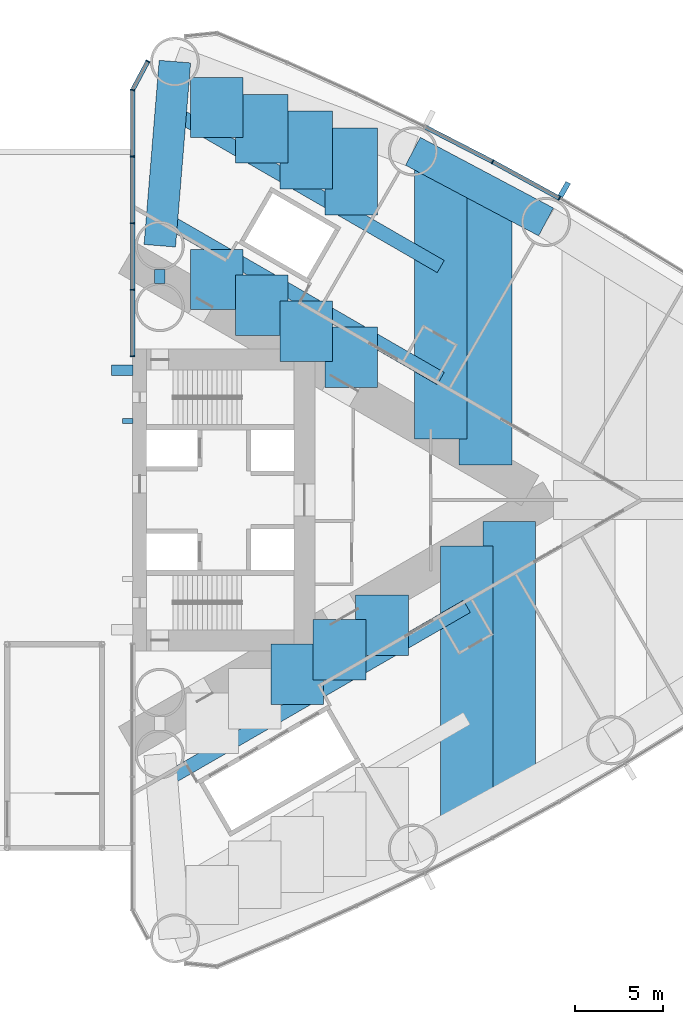
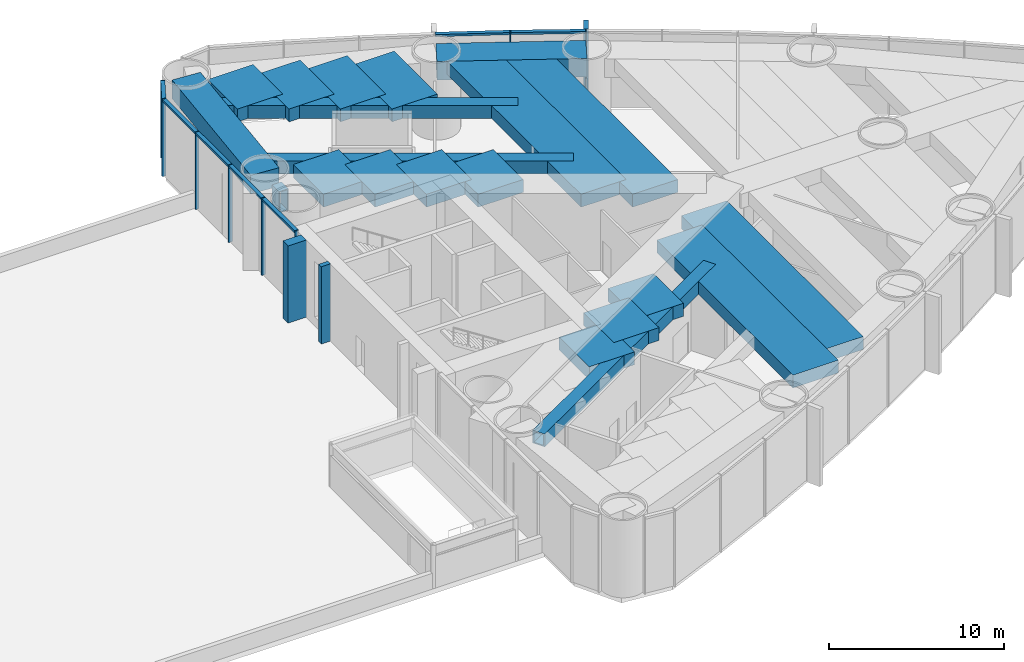
# One storey, part 11 of 23: 21 beams, 18 members, 2 elements without a shape of their own.
"""IFC4 building model written with IfcOpenShell, lengths in metres."""

import ifcopenshell
import ifcopenshell.guid

model = None  # the IFC model being written
_history = None  # IfcOwnerHistory: only IFC2X3 demands one
_inside = {}  # id of a spatial element -> (the spatial element, [elements in it])
_under = {}  # id of a project, library or spatial element -> (it, [spatial elements below it])
_declared = {}  # id of a project -> (the project, [libraries it declares])
_typed = {}  # id of a type object -> (the type object, [elements of that type])
_made_of = {}  # id of a material, layer set ... -> (it, [elements and type objects made of it])


def new_model(schema):
    """Start an empty IFC model of exactly this schema.

    Asked for "IFC4X3", IfcOpenShell would pick the latest addendum, in which some entities
    have other attributes; the version numbers below select the first issue.
    IFC2X3 requires an IfcOwnerHistory on every rooted entity: one is made here for all.
    """
    global model, _history
    if schema == "IFC4X3":
        model = ifcopenshell.file(schema_version=(4, 3, 0, 0))
    else:
        model = ifcopenshell.file(schema=schema)
    _inside.clear()
    _under.clear()
    _declared.clear()
    _typed.clear()
    _made_of.clear()
    _history = None
    if model.schema == "IFC2X3":
        org = make("IfcOrganization", Name="unknown")
        user = make(
            "IfcPersonAndOrganization",
            ThePerson=make("IfcPerson", FamilyName="unknown"),
            TheOrganization=org,
        )
        app = make(
            "IfcApplication",
            ApplicationDeveloper=org,
            Version="unknown",
            ApplicationFullName="unknown",
            ApplicationIdentifier="unknown",
        )
        _history = make(
            "IfcOwnerHistory",
            OwningUser=user,
            OwningApplication=app,
            ChangeAction="ADDED",
            CreationDate=0,
        )
    return model


def make(cls, **values):
    """One entity of the class cls with the attributes given. An attribute that is None is left unset."""
    return model.create_entity(
        cls, **{name: value for name, value in values.items() if value is not None}
    )


def rooted(cls, **values):
    """An entity with a GlobalId (a new one), such as an element, a storey or a relation."""
    return make(cls, GlobalId=ifcopenshell.guid.new(), OwnerHistory=_history, **values)


def si_unit(unit_type, name, prefix=None):
    """IfcSIUnit, for example si_unit("LENGTHUNIT", "METRE", prefix="MILLI")."""
    return make("IfcSIUnit", UnitType=unit_type, Prefix=prefix, Name=name)


def assignment(units):
    """IfcUnitAssignment: the units of a project."""
    return None if units is None else make("IfcUnitAssignment", Units=units)


def point(xyz):
    """IfcCartesianPoint."""
    return None if xyz is None else make("IfcCartesianPoint", Coordinates=xyz)


def direction(xyz):
    """IfcDirection."""
    return None if xyz is None else make("IfcDirection", DirectionRatios=xyz)


def frame(location, z_axis=None, x_axis=None):
    """IfcAxis2Placement3D, a coordinate frame: its origin and axes. An axis left out is left unset."""
    return make(
        "IfcAxis2Placement3D",
        Location=point(location),
        Axis=direction(z_axis),
        RefDirection=direction(x_axis),
    )


def frame_2d(location, x_axis=None):
    """IfcAxis2Placement2D, a coordinate frame in the plane: its origin and x axis."""
    return make(
        "IfcAxis2Placement2D", Location=point(location), RefDirection=direction(x_axis)
    )


def origin():
    """The frame at (0, 0, 0) with its axes left unset."""
    return frame((0.0, 0.0, 0.0))


def origin_2d():
    """The frame at (0, 0) in the plane with its x axis left unset."""
    return frame_2d((0.0, 0.0))


def place(relative_to, where):
    """IfcLocalPlacement: puts the frame where relative to a parent placement (None: the world)."""
    return make(
        "IfcLocalPlacement", PlacementRelTo=relative_to, RelativePlacement=where
    )


def context(
    kind, dimensions, precision=None, world=None, true_north=None, identifier=None
):
    """IfcGeometricRepresentationContext, for example the 3D "Model" context."""
    return make(
        "IfcGeometricRepresentationContext",
        ContextIdentifier=identifier,
        ContextType=kind,
        CoordinateSpaceDimension=dimensions,
        Precision=precision,
        WorldCoordinateSystem=world,
        TrueNorth=true_north,
    )


def subcontext(parent, identifier, kind, view, scale=None):
    """IfcGeometricRepresentationSubContext, for example "Body" below "Model"."""
    return make(
        "IfcGeometricRepresentationSubContext",
        ContextIdentifier=identifier,
        ContextType=kind,
        ParentContext=parent,
        TargetScale=scale,
        TargetView=view,
    )


def project(units=None, contexts=None):
    """IfcProject with its units and contexts."""
    return rooted(
        "IfcProject",
        Name="project",
        RepresentationContexts=contexts,
        UnitsInContext=assignment(units),
    )


def spatial(cls, under=None, at=None, **own):
    """A site, building, storey or space (cls), placed at a placement, below another one or the project."""
    s = rooted(cls, ObjectPlacement=at, **own)
    if under is not None:
        _under.setdefault(under.id(), (under, []))[1].append(s)
    return s


def profile(cls, at=None, kind="AREA", **sizes):
    """A parametric profile (cls). Its sizes go by their IFC names, for example OverallWidth=200.0."""
    return make(cls, ProfileType=kind, Position=at, **sizes)


def rectangle(**sizes):
    """IfcRectangleProfileDef."""
    return profile("IfcRectangleProfileDef", **sizes)


def hollow_rectangle(**sizes):
    """IfcRectangleHollowProfileDef."""
    return profile("IfcRectangleHollowProfileDef", **sizes)


def extrude(swept, where, along, depth):
    """IfcExtrudedAreaSolid: the profile swept, set in the frame where, extruded along a direction by depth."""
    return make(
        "IfcExtrudedAreaSolid",
        SweptArea=swept,
        Position=where,
        ExtrudedDirection=direction(along),
        Depth=depth,
    )


def shape(context_of_items, identifier, shape_type, items):
    """IfcShapeRepresentation: the items that make up one representation, for example the "Body"."""
    return make(
        "IfcShapeRepresentation",
        ContextOfItems=context_of_items,
        RepresentationIdentifier=identifier,
        RepresentationType=shape_type,
        Items=items,
    )


def material(Name=None, Category=None):
    """IfcMaterial."""
    return make("IfcMaterial", Name=Name, Category=Category)


def material_profile(
    of_material, cross_section, Name=None, Category=None, Priority=None
):
    """IfcMaterialProfile: a cross section and its material."""
    return make(
        "IfcMaterialProfile",
        Name=Name,
        Material=of_material,
        Profile=cross_section,
        Priority=Priority,
        Category=Category,
    )


def profile_set(profiles, Name=None, composite=None):
    """IfcMaterialProfileSet."""
    return make(
        "IfcMaterialProfileSet",
        Name=Name,
        MaterialProfiles=profiles,
        CompositeProfile=composite,
    )


def made_of(thing, what):
    """Note that an element or type object is made of a material, layer set ...; save() writes the relation."""
    if what is not None:
        _made_of.setdefault(what.id(), (what, []))[1].append(thing)
    return thing


def type_object(cls, material=None, **own):
    """A type object (cls), such as IfcWallType, which elements share."""
    return made_of(rooted(cls, **own), material)


def element(
    cls,
    number,
    at=None,
    inside=None,
    cuts=None,
    type_object=None,
    material=None,
    context=None,
    identifier="Body",
    shape_type=None,
    held_by="IfcProductDefinitionShape",
    body=None,
    shapes=None,
    **own,
):
    """One element of the class cls, such as IfcWall. Its Tag is "e" and its number.

    at: its placement. inside: the storey or other place that contains it. cuts: it is an
    opening in that element (IfcRelVoidsElement). A single representation is given by context,
    identifier, shape_type and body (its items); several are given by shapes. held_by: the class
    of the entity that holds the representations. save() writes the other relations.
    """
    e = rooted(cls, Tag="e%d" % number, ObjectPlacement=at, **own)
    if body is not None:
        shapes = [shape(context, identifier, shape_type, body)]
    if shapes is not None:
        e.Representation = make(held_by, Representations=shapes)
    if inside is not None:
        _inside.setdefault(inside.id(), (inside, []))[1].append(e)
    if cuts is not None:
        rooted(
            "IfcRelVoidsElement", RelatingBuildingElement=cuts, RelatedOpeningElement=e
        )
    if type_object is not None:
        _typed.setdefault(type_object.id(), (type_object, []))[1].append(e)
    return made_of(e, material)


def aggregate(whole, parts):
    """IfcRelAggregates: a whole, such as a stair, and the parts it consists of."""
    return rooted("IfcRelAggregates", RelatingObject=whole, RelatedObjects=parts)


def save(model, path):
    """Write the relations noted so far, then the file.

    IfcRelAggregates (storeys below a building ...), IfcRelContainedInSpatialStructure (elements
    in a storey), IfcRelDefinesByType, IfcRelAssociatesMaterial and IfcRelDeclares: one each for
    every whole, place, type object, material and project.
    """
    for whole, parts in _under.values():
        aggregate(whole, parts)
    for where, things in _inside.values():
        rooted(
            "IfcRelContainedInSpatialStructure",
            RelatedElements=things,
            RelatingStructure=where,
        )
    for kind, things in _typed.values():
        rooted("IfcRelDefinesByType", RelatedObjects=things, RelatingType=kind)
    for what, things in _made_of.values():
        rooted("IfcRelAssociatesMaterial", RelatedObjects=things, RelatingMaterial=what)
    for by, libraries in _declared.values():
        rooted("IfcRelDeclares", RelatingContext=by, RelatedDefinitions=libraries)
    model.write(path)


model = new_model("IFC4")

# Units and contexts
model_context = context("Model", 3, precision=1e-05, world=origin(), true_north=direction((0.0, 1.0)))
body_context = subcontext(model_context, "Body", "Model", "MODEL_VIEW")
ifc_project = project(units=[si_unit("LENGTHUNIT", "METRE"), si_unit("AREAUNIT", "SQUARE_METRE"), si_unit("VOLUMEUNIT", "CUBIC_METRE"), si_unit("PLANEANGLEUNIT", "RADIAN"), si_unit("MASSUNIT", "GRAM", prefix="KILO")], contexts=[model_context])

# Site, building, storey
site_placement = place(None, origin())
site = spatial("IfcSite", under=ifc_project, at=site_placement, CompositionType="ELEMENT")
building_placement = place(site_placement, origin())
building = spatial("IfcBuilding", under=site, at=building_placement, Name="Lancet Gate Hotel", CompositionType="ELEMENT")
storey_placement = place(building_placement, frame((0.0, 0.0, 12.60009765625)))
storey = spatial("IfcBuildingStorey", under=building, at=storey_placement, Name="L02", CompositionType="ELEMENT", Elevation=12.60009765625)

# Curtain wall, members
ifc_material_1 = material(Name="Aluminium curtain wall", Category="aluminium")
curtain_wall_type = type_object("IfcCurtainWallType", Name="Podium curtain wall", PredefinedType="USERDEFINED", material=ifc_material_1)
curtain_wall_1_placement = place(storey_placement, origin())
curtain_wall_1 = element("IfcCurtainWall", 1, at=curtain_wall_1_placement, inside=storey, type_object=curtain_wall_type, Name="T2 L02 curtain wall 3", ObjectType="UNITISED CURTAIN WALL", PredefinedType="USERDEFINED")
ifc_material_2 = material(Name="Aluminium mullion", Category="aluminium")
ifc_material_profile_1 = material_profile(ifc_material_2, rectangle(XDim=0.06494140625, YDim=0.25, at=origin_2d()), Name="MULLION 65x250")
ifc_profile_set_1 = profile_set([ifc_material_profile_1], Name="Aluminium mullion")
member_type_1 = type_object("IfcMemberType", Name="Aluminium mullion 65x250", PredefinedType="MULLION", material=ifc_profile_set_1)
member_1_placement = place(storey_placement, frame((51.838623046875, 17.208740234375, 0.0), z_axis=(0.0, 0.0, 1.0), x_axis=(-0.871190450382, 0.490945209941, 0.0)))
member_1 = element("IfcMember", 2, at=member_1_placement, type_object=member_type_1, Name="T2 L02 curtain wall 3 mullion 8", PredefinedType="MULLION", context=body_context, shape_type="SweptSolid", body=[
    extrude(rectangle(XDim=0.06494140625, YDim=0.25, at=origin_2d()), origin(), (0.0, 0.0, 1.0), 5.39990234375),
])
member_2_placement = place(storey_placement, frame((48.03271484375, 19.2900390625, 0.0), z_axis=(0.0, 0.0, 1.0), x_axis=(-0.88340346743, 0.468613181347, 0.0)))
member_2 = element("IfcMember", 3, at=member_2_placement, type_object=member_type_1, Name="T2 L02 curtain wall 3 mullion 9", PredefinedType="MULLION", context=body_context, shape_type="SweptSolid", body=[
    extrude(rectangle(XDim=0.06494140625, YDim=0.25, at=origin_2d()), origin(), (0.0, 0.0, 1.0), 5.39990234375),
])

curtain_wall_2_placement = place(storey_placement, origin())
curtain_wall_2 = element("IfcCurtainWall", 4, at=curtain_wall_2_placement, inside=storey, type_object=curtain_wall_type, Name="T2 L02 curtain wall 4", ObjectType="UNITISED CURTAIN WALL", PredefinedType="USERDEFINED")
member_3_placement = place(storey_placement, frame((28.366455078125, 25.012451171875, 0.0), z_axis=(0.0, 0.0, 1.0), x_axis=(-0.469897827284, -0.882720811987, 0.0)))
member_3 = element("IfcMember", 5, at=member_3_placement, type_object=member_type_1, Name="T2 L02 curtain wall 4 mullion 1", PredefinedType="MULLION", context=body_context, shape_type="SweptSolid", body=[
    extrude(rectangle(XDim=0.06494140625, YDim=0.25, at=origin_2d()), origin(), (0.0, 0.0, 1.0), 5.39990234375),
])
member_4_placement = place(storey_placement, frame((27.5, 23.384765625, 0.0), z_axis=(0.0, 0.0, 1.0), x_axis=(-0.157751691459, -0.987478811844, 0.0)))
member_4 = element("IfcMember", 6, at=member_4_placement, type_object=member_type_1, Name="T2 L02 curtain wall 4 mullion 2", PredefinedType="MULLION", context=body_context, shape_type="SweptSolid", body=[
    extrude(rectangle(XDim=0.06494140625, YDim=0.25, at=origin_2d()), origin(), (0.0, 0.0, 1.0), 5.39990234375),
])
member_5_placement = place(storey_placement, frame((27.5, 19.588623046875, 0.0), z_axis=(0.0, 0.0, 1.0), x_axis=(0.0, -1.0, 0.0)))
member_5 = element("IfcMember", 7, at=member_5_placement, type_object=member_type_1, Name="T2 L02 curtain wall 4 mullion 3", PredefinedType="MULLION", context=body_context, shape_type="SweptSolid", body=[
    extrude(rectangle(XDim=0.06494140625, YDim=0.25, at=origin_2d()), origin(), (0.0, 0.0, 1.0), 5.39990234375),
])
member_6_placement = place(storey_placement, frame((27.5, 15.79248046875, 0.0), z_axis=(0.0, 0.0, 1.0), x_axis=(0.0, -1.0, 0.0)))
member_6 = element("IfcMember", 8, at=member_6_placement, type_object=member_type_1, Name="T2 L02 curtain wall 4 mullion 4", PredefinedType="MULLION", context=body_context, shape_type="SweptSolid", body=[
    extrude(rectangle(XDim=0.06494140625, YDim=0.25, at=origin_2d()), origin(), (0.0, 0.0, 1.0), 5.39990234375),
])
member_7_placement = place(storey_placement, frame((27.5, 11.99609375, 0.0), z_axis=(0.0, 0.0, 1.0), x_axis=(0.0, -1.0, 0.0)))
member_7 = element("IfcMember", 9, at=member_7_placement, type_object=member_type_1, Name="T2 L02 curtain wall 4 mullion 5", PredefinedType="MULLION", context=body_context, shape_type="SweptSolid", body=[
    extrude(rectangle(XDim=0.06494140625, YDim=0.25, at=origin_2d()), origin(), (0.0, 0.0, 1.0), 5.39990234375),
])
member_8_placement = place(storey_placement, frame((27.5, 8.199951171875, 0.0), z_axis=(0.0, 0.0, 1.0), x_axis=(0.0, -1.0, 0.0)))
member_8 = element("IfcMember", 10, at=member_8_placement, type_object=member_type_1, Name="T2 L02 curtain wall 4 mullion 6", PredefinedType="MULLION", context=body_context, shape_type="SweptSolid", body=[
    extrude(rectangle(XDim=0.06494140625, YDim=0.25, at=origin_2d()), origin(), (0.0, 0.0, 1.0), 5.39990234375),
])

# Member
ifc_material_3 = material(Name="Aluminium transom", Category="aluminium")
ifc_material_profile_2 = material_profile(ifc_material_3, rectangle(XDim=0.25, YDim=0.14990234375, at=origin_2d()), Name="TRANSOM 250x150")
ifc_profile_set_2 = profile_set([ifc_material_profile_2], Name="Aluminium transom")
member_type_2 = type_object("IfcMemberType", Name="Aluminium transom 250x150", PredefinedType="USERDEFINED", material=ifc_profile_set_2)
member_9_placement = place(storey_placement, frame((51.81005859375, 17.224365234375, 5.324951171875), z_axis=(-0.877377528879, 0.479800658417, 0.0), x_axis=(-0.479800658417, -0.877377528879, 0.0)))
member_9 = element("IfcMember", 11, at=member_9_placement, type_object=member_type_2, Name="T2 L02 curtain wall 3 transom 8", ObjectType="TRANSOM", PredefinedType="USERDEFINED", context=body_context, shape_type="SweptSolid", body=[
    extrude(rectangle(XDim=0.25, YDim=0.14990234375, at=origin_2d()), origin(), (0.0, 0.0, 1.0), 4.272705078125),
])

member_10_placement = place(storey_placement, frame((48.00390625, 19.304931640625, 5.324951171875), z_axis=(-0.88929576978, 0.457332520002, 0.0), x_axis=(-0.457332520002, -0.88929576978, 0.0)))
member_10 = element("IfcMember", 12, at=member_10_placement, type_object=member_type_2, Name="T2 L02 curtain wall 3 transom 9", ObjectType="TRANSOM", PredefinedType="USERDEFINED", context=body_context, shape_type="SweptSolid", body=[
    extrude(rectangle(XDim=0.25, YDim=0.14990234375, at=origin_2d()), origin(), (0.0, 0.0, 1.0), 4.272705078125),
])

member_11_placement = place(storey_placement, frame((28.351318359375, 24.98388671875, 5.324951171875), z_axis=(-0.469904276347, -0.882717378933, 0.0), x_axis=(0.882717378933, -0.469904276347, 0.0)))
member_11 = element("IfcMember", 13, at=member_11_placement, type_object=member_type_2, Name="T2 L02 curtain wall 4 transom 1", ObjectType="TRANSOM", PredefinedType="USERDEFINED", context=body_context, shape_type="SweptSolid", body=[
    extrude(rectangle(XDim=0.25, YDim=0.14990234375, at=origin_2d()), origin(), (0.0, 0.0, 1.0), 1.779052734375),
])

member_12_placement = place(storey_placement, frame((27.5, 23.352294921875, 5.324951171875), z_axis=(0.0, -1.0, 0.0), x_axis=(1.0, 0.0, 0.0)))
member_12 = element("IfcMember", 14, at=member_12_placement, type_object=member_type_2, Name="T2 L02 curtain wall 4 transom 2", ObjectType="TRANSOM", PredefinedType="USERDEFINED", context=body_context, shape_type="SweptSolid", body=[
    extrude(rectangle(XDim=0.25, YDim=0.14990234375, at=origin_2d()), origin(), (0.0, 0.0, 1.0), 3.731201171875),
])

member_13_placement = place(storey_placement, frame((27.5, 19.55615234375, 5.324951171875), z_axis=(0.0, -1.0, 0.0), x_axis=(1.0, 0.0, 0.0)))
member_13 = element("IfcMember", 15, at=member_13_placement, type_object=member_type_2, Name="T2 L02 curtain wall 4 transom 3", ObjectType="TRANSOM", PredefinedType="USERDEFINED", context=body_context, shape_type="SweptSolid", body=[
    extrude(rectangle(XDim=0.25, YDim=0.14990234375, at=origin_2d()), origin(), (0.0, 0.0, 1.0), 3.731201171875),
])

member_14_placement = place(storey_placement, frame((27.5, 15.760009765625, 5.324951171875), z_axis=(0.0, -1.0, 0.0), x_axis=(1.0, 0.0, 0.0)))
member_14 = element("IfcMember", 16, at=member_14_placement, type_object=member_type_2, Name="T2 L02 curtain wall 4 transom 4", ObjectType="TRANSOM", PredefinedType="USERDEFINED", context=body_context, shape_type="SweptSolid", body=[
    extrude(rectangle(XDim=0.25, YDim=0.14990234375, at=origin_2d()), origin(), (0.0, 0.0, 1.0), 3.731201171875),
])

member_15_placement = place(storey_placement, frame((27.5, 11.963623046875, 5.324951171875), z_axis=(0.0, -1.0, 0.0), x_axis=(1.0, 0.0, 0.0)))
member_15 = element("IfcMember", 17, at=member_15_placement, type_object=member_type_2, Name="T2 L02 curtain wall 4 transom 5", ObjectType="TRANSOM", PredefinedType="USERDEFINED", context=body_context, shape_type="SweptSolid", body=[
    extrude(rectangle(XDim=0.25, YDim=0.14990234375, at=origin_2d()), origin(), (0.0, 0.0, 1.0), 3.731201171875),
])

aggregate(curtain_wall_2, [member_3, member_4, member_5, member_6, member_7, member_8, member_11, member_12, member_13, member_14, member_15])

# Beams
ifc_material_4 = material(Name="Concrete C50/60", Category="concrete")
ifc_material_profile_3 = material_profile(ifc_material_4, rectangle(XDim=1.800048828125, YDim=1.300048828125, at=origin_2d()), Name="RC 1800x1300")
ifc_profile_set_3 = profile_set([ifc_material_profile_3], Name="Concrete C50/60")
beam_type_1 = type_object("IfcBeamType", Name="Edge beam RC 1800x1300", PredefinedType="SPANDREL", material=ifc_profile_set_3)
beam_1_placement = place(storey_placement, frame((51.07763671875, 15.8583984375, 4.5), z_axis=(-0.883403493655, 0.46861313191, 0.0), x_axis=(-0.46861313191, -0.883403493655, 0.0)))
element("IfcBeam", 18, at=beam_1_placement, inside=storey, type_object=beam_type_1, Name="T2 edge beam EB1 L02", PredefinedType="SPANDREL", context=body_context, shape_type="SweptSolid", body=[
    extrude(rectangle(XDim=1.800048828125, YDim=1.300048828125, at=origin_2d()), origin(), (0.0, 0.0, 1.0), 8.595703125),
])
beam_2_placement = place(storey_placement, frame((29.050048828125, 14.5, 4.5), z_axis=(0.081714744052, 0.996655758326, 0.0), x_axis=(-0.996655758326, 0.081714744052, 0.0)))
element("IfcBeam", 19, at=beam_2_placement, inside=storey, type_object=beam_type_1, Name="T2 edge beam EB1 L02", PredefinedType="SPANDREL", context=body_context, shape_type="SweptSolid", body=[
    extrude(rectangle(XDim=1.800048828125, YDim=1.300048828125, at=origin_2d()), origin(), (0.0, 0.0, 1.0), 10.53759765625),
])

# Member
ifc_material_5 = material(Name="Concrete C60/75", Category="concrete")
ifc_material_profile_4 = material_profile(ifc_material_5, rectangle(XDim=0.60009765625, YDim=1.199951171875, at=origin_2d()), Name="FIN 600x1200")
ifc_profile_set_4 = profile_set([ifc_material_profile_4], Name="Concrete C60/75")
member_type_3 = type_object("IfcMemberType", Name="Exposed concrete buttress pilaster 600x1200", PredefinedType="USERDEFINED", material=ifc_profile_set_4)
member_16_placement = place(storey_placement, frame((26.909912109375, 7.39990234375, 0.0), z_axis=(0.0, 0.0, 1.0), x_axis=(0.0, 1.0, 0.0)))
element("IfcMember", 20, at=member_16_placement, inside=storey, type_object=member_type_3, Name="T2 buttress pilaster N L02", ObjectType="FIN", PredefinedType="USERDEFINED", context=body_context, shape_type="SweptSolid", body=[
    extrude(rectangle(XDim=0.60009765625, YDim=1.199951171875, at=origin_2d()), origin(), (0.0, 0.0, 1.0), 5.39990234375),
])

ifc_material_6 = material(Name="Precast concrete C50/60", Category="concrete")
ifc_material_profile_5 = material_profile(ifc_material_6, rectangle(XDim=0.300048828125, YDim=0.89990234375, at=origin_2d()), Name="FIN 300x900")
ifc_profile_set_5 = profile_set([ifc_material_profile_5], Name="Precast concrete C50/60")
member_type_4 = type_object("IfcMemberType", Name="Exposed concrete fin 300x900", PredefinedType="USERDEFINED", material=ifc_profile_set_5)
member_17_placement = place(storey_placement, frame((52.120849609375, 17.709716796875, 0.0), z_axis=(0.0, 0.0, 1.0), x_axis=(-0.871190450382, 0.490945209941, 0.0)))
member_17 = element("IfcMember", 21, at=member_17_placement, type_object=member_type_4, Name="T2 L02 curtain wall 3 fin 8", ObjectType="FIN", PredefinedType="USERDEFINED", context=body_context, shape_type="SweptSolid", body=[
    extrude(rectangle(XDim=0.300048828125, YDim=0.89990234375, at=origin_2d()), origin(), (0.0, 0.0, 1.0), 5.39990234375),
])

aggregate(curtain_wall_1, [member_1, member_17, member_2, member_9, member_10])

ifc_material_7 = material(Name="Concrete C60/75", Category="concrete")
ifc_material_profile_6 = material_profile(ifc_material_7, rectangle(XDim=0.300048828125, YDim=0.60009765625, at=origin_2d()), Name="FIN 300x600")
ifc_profile_set_6 = profile_set([ifc_material_profile_6], Name="Concrete C60/75")
member_type_5 = type_object("IfcMemberType", Name="Exposed concrete rib 300x600", PredefinedType="USERDEFINED", material=ifc_profile_set_6)
member_18_placement = place(storey_placement, frame((27.2099609375, 4.5, 0.0), z_axis=(0.0, 0.0, 1.0), x_axis=(0.0, 1.0, 0.0)))
element("IfcMember", 22, at=member_18_placement, inside=storey, type_object=member_type_5, Name="T2 core rib 3 L02", ObjectType="FIN", PredefinedType="USERDEFINED", context=body_context, shape_type="SweptSolid", body=[
    extrude(rectangle(XDim=0.300048828125, YDim=0.60009765625, at=origin_2d()), origin(), (0.0, 0.0, 1.0), 5.39990234375),
])

# Beams
ifc_material_8 = material(Name="Concrete C50/60", Category="concrete")
ifc_material_profile_7 = material_profile(ifc_material_8, rectangle(XDim=3.0, YDim=0.89990234375, at=origin_2d()), Name="RC 3000x900")
ifc_profile_set_7 = profile_set([ifc_material_profile_7], Name="Concrete C50/60")
beam_type_2 = type_object("IfcBeamType", Name="Floor beam RC 3000x900", PredefinedType="BEAM", material=ifc_profile_set_7)
beam_3_placement = place(storey_placement, frame((45.072265625, 3.4814453125, 4.699951171875), z_axis=(0.0, 1.0, 0.0), x_axis=(-1.0, 0.0, 0.0)))
element("IfcBeam", 23, at=beam_3_placement, inside=storey, type_object=beam_type_2, Name="T2 floor beam F12N L02", PredefinedType="BEAM", context=body_context, shape_type="SweptSolid", body=[
    extrude(rectangle(XDim=3.0, YDim=0.89990234375, at=origin_2d()), origin(), (0.0, 0.0, 1.0), 15.5625),
])
beam_4_placement = place(storey_placement, frame((46.561767578125, -18.203369140625, 4.699951171875), z_axis=(0.0, 1.0, 0.0), x_axis=(-1.0, 0.0, 0.0)))
element("IfcBeam", 24, at=beam_4_placement, inside=storey, type_object=beam_type_2, Name="T2 floor beam F13S L02", PredefinedType="BEAM", context=body_context, shape_type="SweptSolid", body=[
    extrude(rectangle(XDim=3.0, YDim=0.89990234375, at=origin_2d()), origin(), (0.0, 0.0, 1.0), 15.58203125),
])
beam_5_placement = place(storey_placement, frame((47.62548828125, 2.00732421875, 4.699951171875), z_axis=(0.0, 1.0, 0.0), x_axis=(-1.0, 0.0, 0.0)))
element("IfcBeam", 25, at=beam_5_placement, inside=storey, type_object=beam_type_2, Name="T2 floor beam F14N L02", PredefinedType="BEAM", context=body_context, shape_type="SweptSolid", body=[
    extrude(rectangle(XDim=3.0, YDim=0.89990234375, at=origin_2d()), origin(), (0.0, 0.0, 1.0), 15.68212890625),
])
beam_6_placement = place(storey_placement, frame((48.98193359375, -16.879638671875, 4.699951171875), z_axis=(0.0, 1.0, 0.0), x_axis=(-1.0, 0.0, 0.0)))
element("IfcBeam", 26, at=beam_6_placement, inside=storey, type_object=beam_type_2, Name="T2 floor beam F15S L02", PredefinedType="BEAM", context=body_context, shape_type="SweptSolid", body=[
    extrude(rectangle(XDim=3.0, YDim=0.89990234375, at=origin_2d()), origin(), (0.0, 0.0, 1.0), 15.655517578125),
])
beam_7_placement = place(storey_placement, frame((32.306396484375, 10.851806640625, 4.699951171875), z_axis=(0.0, 1.0, 0.0), x_axis=(-1.0, 0.0, 0.0)))
element("IfcBeam", 27, at=beam_7_placement, inside=storey, type_object=beam_type_2, Name="T2 floor beam F04NA L02", PredefinedType="BEAM", context=body_context, shape_type="SweptSolid", body=[
    extrude(rectangle(XDim=3.0, YDim=0.89990234375, at=origin_2d()), origin(), (0.0, 0.0, 1.0), 3.44580078125),
])
beam_8_placement = place(storey_placement, frame((32.306396484375, 20.68603515625, 4.699951171875), z_axis=(0.0, 1.0, 0.0), x_axis=(-1.0, 0.0, 0.0)))
element("IfcBeam", 28, at=beam_8_placement, inside=storey, type_object=beam_type_2, Name="T2 floor beam F04NB L02", PredefinedType="BEAM", context=body_context, shape_type="SweptSolid", body=[
    extrude(rectangle(XDim=3.0, YDim=0.89990234375, at=origin_2d()), origin(), (0.0, 0.0, 1.0), 3.41357421875),
])
beam_9_placement = place(storey_placement, frame((34.859619140625, 9.377685546875, 4.699951171875), z_axis=(0.0, 1.0, 0.0), x_axis=(-1.0, 0.0, 0.0)))
element("IfcBeam", 29, at=beam_9_placement, inside=storey, type_object=beam_type_2, Name="T2 floor beam F06NA L02", PredefinedType="BEAM", context=body_context, shape_type="SweptSolid", body=[
    extrude(rectangle(XDim=3.0, YDim=0.89990234375, at=origin_2d()), origin(), (0.0, 0.0, 1.0), 3.445556640625),
])
beam_10_placement = place(storey_placement, frame((34.859619140625, 19.211669921875, 4.699951171875), z_axis=(0.0, 1.0, 0.0), x_axis=(-1.0, 0.0, 0.0)))
element("IfcBeam", 30, at=beam_10_placement, inside=storey, type_object=beam_type_2, Name="T2 floor beam F06NB L02", PredefinedType="BEAM", context=body_context, shape_type="SweptSolid", body=[
    extrude(rectangle(XDim=3.0, YDim=0.89990234375, at=origin_2d()), origin(), (0.0, 0.0, 1.0), 3.925537109375),
])
beam_11_placement = place(storey_placement, frame((36.880859375, -11.65625, 4.699951171875), z_axis=(0.0, 1.0, 0.0), x_axis=(-1.0, 0.0, 0.0)))
element("IfcBeam", 31, at=beam_11_placement, inside=storey, type_object=beam_type_2, Name="T2 floor beam F07SB L02", PredefinedType="BEAM", context=body_context, shape_type="SweptSolid", body=[
    extrude(rectangle(XDim=3.0, YDim=0.89990234375, at=origin_2d()), origin(), (0.0, 0.0, 1.0), 3.445556640625),
])
beam_12_placement = place(storey_placement, frame((37.412841796875, 7.903564453125, 4.699951171875), z_axis=(0.0, 1.0, 0.0), x_axis=(-1.0, 0.0, 0.0)))
element("IfcBeam", 32, at=beam_12_placement, inside=storey, type_object=beam_type_2, Name="T2 floor beam F08NA L02", PredefinedType="BEAM", context=body_context, shape_type="SweptSolid", body=[
    extrude(rectangle(XDim=3.0, YDim=0.89990234375, at=origin_2d()), origin(), (0.0, 0.0, 1.0), 3.4453125),
])
beam_13_placement = place(storey_placement, frame((37.412841796875, 17.7373046875, 4.699951171875), z_axis=(0.0, 1.0, 0.0), x_axis=(-1.0, 0.0, 0.0)))
element("IfcBeam", 33, at=beam_13_placement, inside=storey, type_object=beam_type_2, Name="T2 floor beam F08NB L02", PredefinedType="BEAM", context=body_context, shape_type="SweptSolid", body=[
    extrude(rectangle(XDim=3.0, YDim=0.89990234375, at=origin_2d()), origin(), (0.0, 0.0, 1.0), 4.4375),
])
beam_14_placement = place(storey_placement, frame((39.301025390625, -10.259033203125, 4.699951171875), z_axis=(0.0, 1.0, 0.0), x_axis=(-1.0, 0.0, 0.0)))
element("IfcBeam", 34, at=beam_14_placement, inside=storey, type_object=beam_type_2, Name="T2 floor beam F09SB L02", PredefinedType="BEAM", context=body_context, shape_type="SweptSolid", body=[
    extrude(rectangle(XDim=3.0, YDim=0.89990234375, at=origin_2d()), origin(), (0.0, 0.0, 1.0), 3.445556640625),
])
beam_15_placement = place(storey_placement, frame((39.9658203125, 6.429443359375, 4.699951171875), z_axis=(0.0, 1.0, 0.0), x_axis=(-1.0, 0.0, 0.0)))
element("IfcBeam", 35, at=beam_15_placement, inside=storey, type_object=beam_type_2, Name="T2 floor beam F10NA L02", PredefinedType="BEAM", context=body_context, shape_type="SweptSolid", body=[
    extrude(rectangle(XDim=3.0, YDim=0.89990234375, at=origin_2d()), origin(), (0.0, 0.0, 1.0), 3.445068359375),
])
beam_16_placement = place(storey_placement, frame((39.9658203125, 16.262939453125, 4.699951171875), z_axis=(0.0, 1.0, 0.0), x_axis=(-1.0, 0.0, 0.0)))
element("IfcBeam", 36, at=beam_16_placement, inside=storey, type_object=beam_type_2, Name="T2 floor beam F10NB L02", PredefinedType="BEAM", context=body_context, shape_type="SweptSolid", body=[
    extrude(rectangle(XDim=3.0, YDim=0.89990234375, at=origin_2d()), origin(), (0.0, 0.0, 1.0), 4.94970703125),
])
beam_17_placement = place(storey_placement, frame((41.721435546875, -8.86181640625, 4.699951171875), z_axis=(0.0, 1.0, 0.0), x_axis=(-1.0, 0.0, 0.0)))
element("IfcBeam", 37, at=beam_17_placement, inside=storey, type_object=beam_type_2, Name="T2 floor beam F11SB L02", PredefinedType="BEAM", context=body_context, shape_type="SweptSolid", body=[
    extrude(rectangle(XDim=3.0, YDim=0.89990234375, at=origin_2d()), origin(), (0.0, 0.0, 1.0), 3.44580078125),
])
ifc_material_9 = material(Name="Steel S460QL", Category="steel")
ifc_material_profile_8 = material_profile(ifc_material_9, hollow_rectangle(XDim=0.60009765625, YDim=1.5, WallThickness=0.050048828125, at=origin_2d()), Name="BOX 1500x600x50")
ifc_profile_set_8 = profile_set([ifc_material_profile_8], Name="Steel S460QL")
beam_type_3 = type_object("IfcBeamType", Name="Inner-face link beam BOX 1500x600x50", PredefinedType="BEAM", material=ifc_profile_set_8)
beam_18_placement = place(storey_placement, frame((29.050048828125, 12.35009765625, 4.39990234375), z_axis=(0.0, 1.0, 0.0), x_axis=(-1.0, 0.0, 0.0)))
element("IfcBeam", 38, at=beam_18_placement, inside=storey, type_object=beam_type_3, Name="T2 inner-face link beam LK1 L02", PredefinedType="BEAM", context=body_context, shape_type="SweptSolid", body=[
    extrude(hollow_rectangle(XDim=0.60009765625, YDim=1.5, WallThickness=0.050048828125, at=origin_2d()), origin(), (0.0, 0.0, 1.0), 0.7998046875),
])
ifc_material_10 = material(Name="Steel S460QL", Category="steel")
ifc_material_profile_9 = material_profile(ifc_material_10, hollow_rectangle(XDim=0.800048828125, YDim=0.89990234375, WallThickness=0.080078125, at=origin_2d()), Name="BOX 900x800x80")
ifc_profile_set_9 = profile_set([ifc_material_profile_9], Name="Steel S460QL")
beam_type_4 = type_object("IfcBeamType", Name="Trimmer beam BOX 900x800x80", PredefinedType="BEAM", material=ifc_profile_set_9)
beam_19_placement = place(storey_placement, frame((29.6201171875, -15.84814453125, 4.699951171875), z_axis=(0.866031171079, 0.49999001062, 0.0), x_axis=(-0.49999001062, 0.866031171079, 0.0)))
element("IfcBeam", 39, at=beam_19_placement, inside=storey, type_object=beam_type_4, Name="T2 trimmer beam TR01S L02", PredefinedType="BEAM", context=body_context, shape_type="SweptSolid", body=[
    extrude(hollow_rectangle(XDim=0.800048828125, YDim=0.89990234375, WallThickness=0.080078125, at=origin_2d()), origin(), (0.0, 0.0, 1.0), 19.5625),
])
beam_20_placement = place(storey_placement, frame((29.753173828125, 22.160400390625, 4.699951171875), z_axis=(0.865977575521, -0.500082831833, 0.0), x_axis=(0.500082831833, 0.865977575521, 0.0)))
element("IfcBeam", 40, at=beam_20_placement, inside=storey, type_object=beam_type_4, Name="T2 trimmer beam TR03N L02", PredefinedType="BEAM", context=body_context, shape_type="SweptSolid", body=[
    extrude(hollow_rectangle(XDim=0.800048828125, YDim=0.89990234375, WallThickness=0.080078125, at=origin_2d()), origin(), (0.0, 0.0, 1.0), 17.68994140625),
])
beam_21_placement = place(storey_placement, frame((29.753173828125, 15.77197265625, 4.699951171875), z_axis=(0.865983552212, -0.500072482045, 0.0), x_axis=(0.500072482045, 0.865983552212, 0.0)))
element("IfcBeam", 41, at=beam_21_placement, inside=storey, type_object=beam_type_4, Name="T2 trimmer beam TR04N L02", PredefinedType="BEAM", context=body_context, shape_type="SweptSolid", body=[
    extrude(hollow_rectangle(XDim=0.800048828125, YDim=0.89990234375, WallThickness=0.080078125, at=origin_2d()), origin(), (0.0, 0.0, 1.0), 17.689697265625),
])

save(model, "model.ifc")
